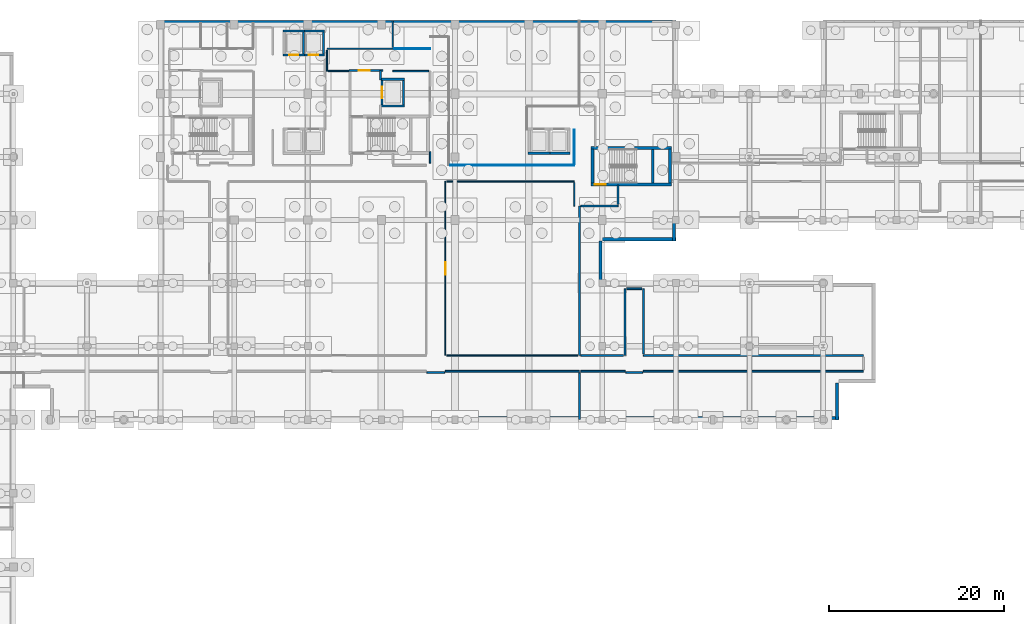
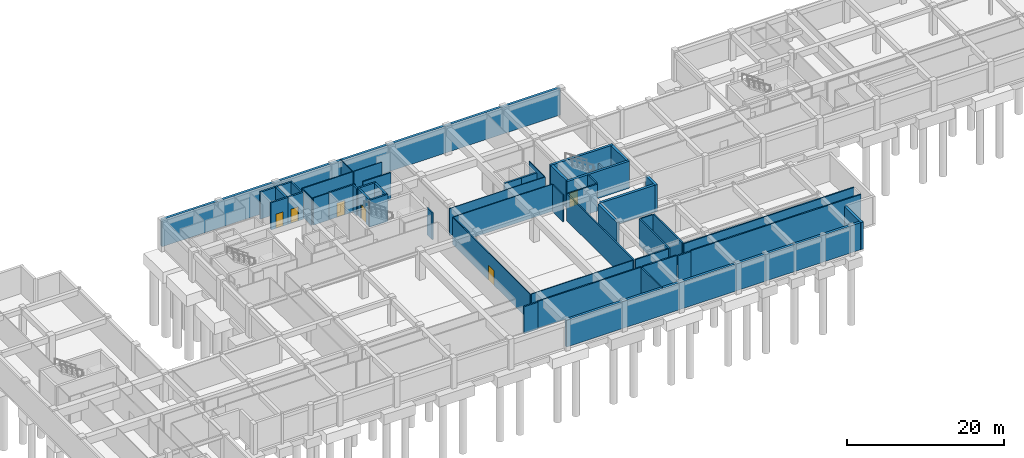
# One storey, part 31 of 42: 52 walls, 6 doors, 6 openings.
"""IFC4 building model written with IfcOpenShell, lengths in metres."""

from ifc_helpers import new_model, si_unit, direction, frame, frame_2d, origin, place, context, subcontext, project, spatial, rectangle, extrude, material, layer, layer_set, type_object, element, fill, save


model = new_model("IFC4")

# Units and contexts
model_context = context("Model", 3, precision=1e-05, world=origin(), true_north=direction((0.0, 1.0)))
body_context = subcontext(model_context, "Body", "Model", "MODEL_VIEW")
ifc_project = project(units=[si_unit("LENGTHUNIT", "METRE"), si_unit("AREAUNIT", "SQUARE_METRE"), si_unit("VOLUMEUNIT", "CUBIC_METRE"), si_unit("PLANEANGLEUNIT", "RADIAN"), si_unit("MASSUNIT", "GRAM", prefix="KILO")], contexts=[model_context])

# Site, building, storey
site_placement = place(None, origin())
site = spatial("IfcSite", under=ifc_project, at=site_placement, CompositionType="ELEMENT")
building_placement = place(site_placement, origin())
building = spatial("IfcBuilding", under=site, at=building_placement, Name="Quendrovan Civic Courthouse", CompositionType="ELEMENT")
storey_placement = place(building_placement, frame((0.0, 0.0, -4.5)))
storey = spatial("IfcBuildingStorey", under=building, at=storey_placement, Name="B1", CompositionType="ELEMENT", Elevation=-4.5)

# Walls
ifc_material_1 = material(Name="Concrete C35/45", Category="concrete")
ifc_layer_1 = layer(ifc_material_1, 0.3798828125, Name="Concrete C35/45")
ifc_layer_set_1 = layer_set([ifc_layer_1], Name="Concrete C35/45")
wall_type_1 = type_object("IfcWallType", Name="WL-BSM-RET380", PredefinedType="SOLIDWALL", material=ifc_layer_set_1)
wall_1_placement = place(storey_placement, frame((33.60009765625, 110.18994140625, 0.0), z_axis=(0.0, 0.0, 1.0), x_axis=(1.0, 0.0, 0.0)))
element("IfcWall", 1, at=wall_1_placement, inside=storey, type_object=wall_type_1, Name="B1 Perimeter Retaining Wall 008", PredefinedType="SOLIDWALL", context=body_context, shape_type="SweptSolid", body=[
    extrude(rectangle(XDim=58.7998046875, YDim=0.3798828125, at=frame_2d((29.39990234375, 0.0))), origin(), (0.0, 0.0, 1.0), 4.219970703125),
])
wall_2_placement = place(storey_placement, frame((92.18994140625, 87.60009765625, 0.0), z_axis=(0.0, 0.0, 1.0), x_axis=(0.0, -1.0, 0.0)))
element("IfcWall", 2, at=wall_2_placement, inside=storey, type_object=wall_type_1, Name="B1 Perimeter Retaining Wall 015", PredefinedType="SOLIDWALL", context=body_context, shape_type="SweptSolid", body=[
    extrude(rectangle(XDim=2.400146484375, YDim=0.3798828125, at=frame_2d((1.2001953125, 0.0))), origin(), (0.0, 0.0, 1.0), 4.219970703125),
])
wall_3_placement = place(storey_placement, frame((92.39990234375, 85.409912109375, 0.0), z_axis=(0.0, 0.0, 1.0), x_axis=(-1.0, 0.0, 0.0)))
element("IfcWall", 3, at=wall_3_placement, inside=storey, type_object=wall_type_1, Name="B1 Perimeter Retaining Wall 016", PredefinedType="SOLIDWALL", context=body_context, shape_type="SweptSolid", body=[
    extrude(rectangle(XDim=8.39990234375, YDim=0.3798828125, at=frame_2d((4.199951171875, 0.0))), origin(), (0.0, 0.0, 1.0), 4.219970703125),
])
wall_4_placement = place(storey_placement, frame((83.7900390625, 85.199951171875, 0.0), z_axis=(0.0, 0.0, 1.0), x_axis=(0.0, -1.0, 0.0)))
element("IfcWall", 4, at=wall_4_placement, inside=storey, type_object=wall_type_1, Name="B1 Perimeter Retaining Wall 017", PredefinedType="SOLIDWALL", context=body_context, shape_type="SweptSolid", body=[
    extrude(rectangle(XDim=4.800048828125, YDim=0.3798828125, at=frame_2d((2.39990234375, 0.0))), origin(), (0.0, 0.0, 1.0), 4.219970703125),
])
wall_5_placement = place(storey_placement, frame((110.7900390625, 69.0, 0.0), z_axis=(0.0, 0.0, 1.0), x_axis=(0.0, -1.0, 0.0)))
element("IfcWall", 5, at=wall_5_placement, inside=storey, type_object=wall_type_1, Name="B1 Perimeter Retaining Wall 021", PredefinedType="SOLIDWALL", context=body_context, shape_type="SweptSolid", body=[
    extrude(rectangle(XDim=4.199951171875, YDim=0.3798828125, at=frame_2d((2.10009765625, 0.0))), origin(), (0.0, 0.0, 1.0), 4.219970703125),
])
wall_6_placement = place(storey_placement, frame((111.0, 65.010009765625, 0.0), z_axis=(0.0, 0.0, 1.0), x_axis=(-1.0, 0.0, 0.0)))
element("IfcWall", 6, at=wall_6_placement, inside=storey, type_object=wall_type_1, Name="B1 Perimeter Retaining Wall 022", PredefinedType="SOLIDWALL", context=body_context, shape_type="SweptSolid", body=[
    extrude(rectangle(XDim=43.800048828125, YDim=0.3798828125, at=frame_2d((21.89990234375, 0.0))), origin(), (0.0, 0.0, 1.0), 4.219970703125),
])

# Wall, opening, door
ifc_material_2 = material(Name="Concrete C45/55", Category="concrete")
ifc_layer_2 = layer(ifc_material_2, 0.35009765625, Name="Concrete C45/55")
ifc_layer_set_2 = layer_set([ifc_layer_2], Name="Concrete C45/55")
wall_type_2 = type_object("IfcWallType", Name="WL-CORE-350", PredefinedType="SHEAR", material=ifc_layer_set_2)
wall_7_placement = place(storey_placement, frame((82.68994140625, 91.6650390625, 0.0), z_axis=(0.0, 0.0, 1.0), x_axis=(1.0, 0.0, 0.0)))
wall_7 = element("IfcWall", 7, at=wall_7_placement, inside=storey, type_object=wall_type_2, Name="B1 Core Shear Wall ST3-S", PredefinedType="SHEAR", context=body_context, shape_type="SweptSolid", body=[
    extrude(rectangle(XDim=9.219970703125, YDim=0.35009765625, at=frame_2d((4.60986328125, 0.0))), origin(), (0.0, 0.0, 1.0), 4.219970703125),
])
opening_1_placement = place(wall_7_placement, frame((0.449951171875, 0.0, 0.0)))
opening_1 = element("IfcOpeningElement", 8, at=opening_1_placement, cuts=wall_7, Name="Opening DS-ST3-B1", PredefinedType="OPENING", context=body_context, shape_type="SweptSolid", body=[
    extrude(rectangle(XDim=1.25, YDim=2.199951171875, at=frame_2d((0.625, 1.10009765625))), frame((0.0, 0.18505859375, 0.0), z_axis=(0.0, -1.0, 0.0), x_axis=(1.0, 0.0, 0.0)), (0.0, 0.0, 1.0), 0.3701171875),
])
ifc_material_3 = material(Name="Painted galvanized hollow-metal steel", Category="steel")
door_type_1 = type_object("IfcDoorType", Name="DR-STAIR-1250", OperationType="NOTDEFINED", PredefinedType="DOOR", material=ifc_material_3)
door_1_placement = place(opening_1_placement, origin())
door_1 = element("IfcDoor", 9, at=door_1_placement, inside=storey, type_object=door_type_1, Name="B1 Exit Stair ST3 Fire Door", OperationType="SINGLE_SWING_RIGHT", OverallHeight=2.199951171875, OverallWidth=1.25, PredefinedType="DOOR", context=body_context, shape_type="SweptSolid", body=[
    extrude(rectangle(XDim=1.25, YDim=2.199951171875, at=frame_2d((0.625, 1.10009765625))), frame((0.0, 0.02490234375, 0.0), z_axis=(0.0, -1.0, 0.0), x_axis=(1.0, 0.0, 0.0)), (0.0, 0.0, 1.0), 0.050048828125),
])
fill(opening_1, door_1)

# Walls
wall_8_placement = place(storey_placement, frame((91.909912109375, 95.8349609375, 0.0), z_axis=(0.0, 0.0, 1.0), x_axis=(-1.0, 0.0, 0.0)))
element("IfcWall", 10, at=wall_8_placement, inside=storey, type_object=wall_type_2, Name="B1 Core Shear Wall ST3-N", PredefinedType="SHEAR", context=body_context, shape_type="SweptSolid", body=[
    extrude(rectangle(XDim=9.219970703125, YDim=0.35009765625, at=frame_2d((4.60986328125, 0.0))), origin(), (0.0, 0.0, 1.0), 4.219970703125),
])
for number, where, z_axis, x_axis, name in (
    (11, (82.864990234375, 91.800048828125, 0.0), (0.0, 0.0, 1.0), (0.0, 1.0, 0.0), "B1 Core Shear Wall ST3-W"),
    (12, (91.735107421875, 95.699951171875, 0.0), (0.0, 0.0, 1.0), (0.0, -1.0, 0.0), "B1 Core Shear Wall ST3-E"),
):
    element("IfcWall", number, at=place(storey_placement, frame(where, z_axis=z_axis, x_axis=x_axis)), inside=storey, type_object=wall_type_2, Name=name, PredefinedType="SHEAR", context=body_context, shape_type="SweptSolid", body=[
        extrude(rectangle(XDim=3.89990234375, YDim=0.35009765625, at=frame_2d((1.949951171875, 0.0))), origin(), (0.0, 0.0, 1.0), 4.219970703125),
    ])
ifc_material_4 = material(Name="Acoustic gypsum and mineral wool partition")
ifc_layer_3 = layer(ifc_material_4, 0.179931640625, Name="Acoustic gypsum and mineral wool partition")
ifc_layer_set_3 = layer_set([ifc_layer_3], Name="Acoustic gypsum and mineral wool partition")
wall_type_3 = type_object("IfcWallType", Name="WL-CRT-AC180", PredefinedType="PARTITIONING", material=ifc_layer_set_3)
wall_9_placement = place(storey_placement, frame((64.35009765625, 95.39990234375, 0.0), z_axis=(0.0, 0.0, 1.0), x_axis=(0.0, -1.0, 0.0)))
element("IfcWall", 13, at=wall_9_placement, inside=storey, type_object=wall_type_3, Name="B1 Electrical Substation and Standby Power Room Partition 0040", PredefinedType="PARTITIONING", context=body_context, shape_type="SweptSolid", body=[
    extrude(rectangle(XDim=1.2998046875, YDim=0.179931640625, at=frame_2d((0.64990234375, 0.0))), origin(), (0.0, 0.0, 1.0), 4.219970703125),
])
wall_10_placement = place(storey_placement, frame((60.10009765625, 104.60009765625, 0.0), z_axis=(0.0, 0.0, 1.0), x_axis=(1.0, 0.0, 0.0)))
element("IfcWall", 14, at=wall_10_placement, inside=storey, type_object=wall_type_3, Name="B1 Electrical Substation and Standby Power Room Partition 0084", PredefinedType="PARTITIONING", context=body_context, shape_type="SweptSolid", body=[
    extrude(rectangle(XDim=4.079833984375, YDim=0.179931640625, at=frame_2d((2.0400390625, 0.0))), origin(), (0.0, 0.0, 1.0), 4.219970703125),
])
ifc_material_5 = material(Name="Concrete C40/50", Category="concrete")
ifc_layer_4 = layer(ifc_material_5, 0.199951171875, Name="Concrete C40/50")
ifc_layer_set_4 = layer_set([ifc_layer_4], Name="Concrete C40/50")
wall_type_4 = type_object("IfcWallType", Name="WL-CUST-200", PredefinedType="PARTITIONING", material=ifc_layer_set_4)
for number, where, z_axis, x_axis, name in (
    (15, (88.699951171875, 70.35009765625, 0.0), (0.0, 0.0, 1.0), (1.0, 0.0, 0.0), "B1 Judicial Case Docket and Court Record Vault 2 Partition 0009"),
    (16, (113.800048828125, 72.14990234375, 0.0), (0.0, 0.0, 1.0), (-1.0, 0.0, 0.0), "B1 Judicial Case Docket and Court Record Vault 2 Partition 0010"),
):
    element("IfcWall", number, at=place(storey_placement, frame(where, z_axis=z_axis, x_axis=x_axis)), inside=storey, type_object=wall_type_4, Name=name, PredefinedType="PARTITIONING", context=body_context, shape_type="SweptSolid", body=[
        extrude(rectangle(XDim=25.10009765625, YDim=0.199951171875, at=frame_2d((12.550048828125, 0.0))), origin(), (0.0, 0.0, 1.0), 4.219970703125),
    ])
wall_11_placement = place(storey_placement, frame((81.389892578125, 72.14990234375, 0.0), z_axis=(0.0, 0.0, 1.0), x_axis=(0.0, 1.0, 0.0)))
element("IfcWall", 17, at=wall_11_placement, inside=storey, type_object=wall_type_4, Name="B1 Judicial Case Docket and Court Record Vault 2 Partition 0023", PredefinedType="PARTITIONING", context=body_context, shape_type="SweptSolid", body=[
    extrude(rectangle(XDim=17.050048828125, YDim=0.199951171875, at=frame_2d((8.52490234375, 0.0))), origin(), (0.0, 0.0, 1.0), 4.219970703125),
])
wall_12_placement = place(storey_placement, frame((66.10009765625, 70.35009765625, 0.0), z_axis=(0.0, 0.0, 1.0), x_axis=(1.0, 0.0, 0.0)))
element("IfcWall", 18, at=wall_12_placement, inside=storey, type_object=wall_type_4, Name="B1 Judicial Case Docket and Court Record Vault 1 Partition 0029", PredefinedType="PARTITIONING", context=body_context, shape_type="SweptSolid", body=[
    extrude(rectangle(XDim=15.289794921875, YDim=0.199951171875, at=frame_2d((7.64501953125, 0.0))), origin(), (0.0, 0.0, 1.0), 4.219970703125),
])
wall_13_placement = place(storey_placement, frame((88.699951171875, 72.330078125, 0.0), z_axis=(0.0, 0.0, 1.0), x_axis=(0.0, 1.0, 0.0)))
element("IfcWall", 19, at=wall_13_placement, inside=storey, type_object=wall_type_4, Name="B1 Judicial Case Docket and Court Record Vault 2 Partition 0053", PredefinedType="PARTITIONING", context=body_context, shape_type="SweptSolid", body=[
    extrude(rectangle(XDim=7.419921875, YDim=0.199951171875, at=frame_2d((3.7099609375, 0.0))), origin(), (0.0, 0.0, 1.0), 4.219970703125),
])
wall_14_placement = place(storey_placement, frame((86.60009765625, 79.75, 0.0), z_axis=(0.0, 0.0, 1.0), x_axis=(0.0, -1.0, 0.0)))
element("IfcWall", 20, at=wall_14_placement, inside=storey, type_object=wall_type_4, Name="B1 Judicial Case Docket and Court Record Vault 2 Partition 0054", PredefinedType="PARTITIONING", context=body_context, shape_type="SweptSolid", body=[
    extrude(rectangle(XDim=7.60009765625, YDim=0.199951171875, at=frame_2d((3.800048828125, 0.0))), origin(), (0.0, 0.0, 1.0), 4.219970703125),
])
wall_15_placement = place(storey_placement, frame((81.389892578125, 70.169921875, 0.0), z_axis=(0.0, 0.0, 1.0), x_axis=(0.0, -1.0, 0.0)))
element("IfcWall", 21, at=wall_15_placement, inside=storey, type_object=wall_type_4, Name="B1 Judicial Case Docket and Court Record Vault 1 Partition 0065", PredefinedType="PARTITIONING", context=body_context, shape_type="SweptSolid", body=[
    extrude(rectangle(XDim=5.309814453125, YDim=0.199951171875, at=frame_2d((2.65478515625, 0.0))), origin(), (0.0, 0.0, 1.0), 4.219970703125),
])
wall_16_placement = place(storey_placement, frame((81.570068359375, 70.35009765625, 0.0), z_axis=(0.0, 0.0, 1.0), x_axis=(1.0, 0.0, 0.0)))
element("IfcWall", 22, at=wall_16_placement, inside=storey, type_object=wall_type_4, Name="B1 Judicial Case Docket and Court Record Vault 2 Partition 0068", PredefinedType="PARTITIONING", context=body_context, shape_type="SweptSolid", body=[
    extrude(rectangle(XDim=5.030029296875, YDim=0.199951171875, at=frame_2d((2.51513671875, 0.0))), origin(), (0.0, 0.0, 1.0), 4.219970703125),
])
wall_17_placement = place(storey_placement, frame((86.419921875, 72.14990234375, 0.0), z_axis=(0.0, 0.0, 1.0), x_axis=(-1.0, 0.0, 0.0)))
element("IfcWall", 23, at=wall_17_placement, inside=storey, type_object=wall_type_4, Name="B1 Judicial Case Docket and Court Record Vault 2 Partition 0069", PredefinedType="PARTITIONING", context=body_context, shape_type="SweptSolid", body=[
    extrude(rectangle(XDim=4.849853515625, YDim=0.199951171875, at=frame_2d((2.4248046875, 0.0))), origin(), (0.0, 0.0, 1.0), 4.219970703125),
])
wall_18_placement = place(storey_placement, frame((81.570068359375, 89.199951171875, 0.0), z_axis=(0.0, 0.0, 1.0), x_axis=(1.0, 0.0, 0.0)))
element("IfcWall", 24, at=wall_18_placement, inside=storey, type_object=wall_type_4, Name="B1 Judicial Case Docket and Court Record Vault 2 Partition 0081", PredefinedType="PARTITIONING", context=body_context, shape_type="SweptSolid", body=[
    extrude(rectangle(XDim=4.22998046875, YDim=0.199951171875, at=frame_2d((2.114990234375, 0.0))), origin(), (0.0, 0.0, 1.0), 4.219970703125),
])
wall_19_placement = place(storey_placement, frame((85.800048828125, 89.3798828125, 0.0), z_axis=(0.0, 0.0, 1.0), x_axis=(0.0, 1.0, 0.0)))
element("IfcWall", 25, at=wall_19_placement, inside=storey, type_object=wall_type_4, Name="B1 Judicial Case Docket and Court Record Vault 2 Partition 0121", PredefinedType="PARTITIONING", context=body_context, shape_type="SweptSolid", body=[
    extrude(rectangle(XDim=2.2001953125, YDim=0.199951171875, at=frame_2d((1.10009765625, 0.0))), origin(), (0.0, 0.0, 1.0), 4.219970703125),
])
wall_20_placement = place(storey_placement, frame((63.99951171875, 70.199951171875, 0.0), z_axis=(0.0, 0.0, 1.0), x_axis=(1.0, 0.0, 0.0)))
element("IfcWall", 26, at=wall_20_placement, inside=storey, type_object=wall_type_4, Name="B1 Judicial Case Docket and Court Record Vault 1 Partition 0126", PredefinedType="PARTITIONING", context=body_context, shape_type="SweptSolid", body=[
    extrude(rectangle(XDim=2.0009765625, YDim=0.199951171875, at=frame_2d((1.00048828125, 0.0))), origin(), (0.0, 0.0, 1.0), 4.219970703125),
])
wall_21_placement = place(storey_placement, frame((86.699462890625, 70.199951171875, 0.0), z_axis=(0.0, 0.0, 1.0), x_axis=(1.0, 0.0, 0.0)))
element("IfcWall", 27, at=wall_21_placement, inside=storey, type_object=wall_type_4, Name="B1 Judicial Case Docket and Court Record Vault 2 Partition 0129", PredefinedType="PARTITIONING", context=body_context, shape_type="SweptSolid", body=[
    extrude(rectangle(XDim=1.901123046875, YDim=0.199951171875, at=frame_2d((0.95068359375, 0.0))), origin(), (0.0, 0.0, 1.0), 4.219970703125),
])
wall_22_placement = place(storey_placement, frame((88.52001953125, 79.75, 0.0), z_axis=(0.0, 0.0, 1.0), x_axis=(-1.0, 0.0, 0.0)))
element("IfcWall", 28, at=wall_22_placement, inside=storey, type_object=wall_type_4, Name="B1 Judicial Case Docket and Court Record Vault 2 Partition 0130", PredefinedType="PARTITIONING", context=body_context, shape_type="SweptSolid", body=[
    extrude(rectangle(XDim=1.739990234375, YDim=0.199951171875, at=frame_2d((0.8701171875, 0.0))), origin(), (0.0, 0.0, 1.0), 4.219970703125),
])

# Wall, opening, door
ifc_layer_5 = layer(ifc_material_5, 0.22998046875, Name="Concrete C40/50")
ifc_layer_set_5 = layer_set([ifc_layer_5], Name="Concrete C40/50")
wall_type_5 = type_object("IfcWallType", Name="WL-FFLOB-230", PredefinedType="PARTITIONING", material=ifc_layer_set_5)
wall_23_placement = place(storey_placement, frame((55.090087890625, 104.64990234375, 0.0), z_axis=(0.0, 0.0, 1.0), x_axis=(1.0, 0.0, 0.0)))
wall_23 = element("IfcWall", 29, at=wall_23_placement, inside=storey, type_object=wall_type_5, Name="B1 Firefighting Lift Lobby FL2 Wall N", PredefinedType="PARTITIONING", context=body_context, shape_type="SweptSolid", body=[
    extrude(rectangle(XDim=3.889892578125, YDim=0.22998046875, at=frame_2d((1.94482421875, 0.0))), origin(), (0.0, 0.0, 1.0), 4.219970703125),
])
opening_2_placement = place(wall_23_placement, frame((1.14990234375, 0.0, 0.0)))
opening_2 = element("IfcOpeningElement", 30, at=opening_2_placement, cuts=wall_23, Name="Opening DF-FL2-B1N", PredefinedType="OPENING", context=body_context, shape_type="SweptSolid", body=[
    extrude(rectangle(XDim=1.199951171875, YDim=2.199951171875, at=frame_2d((0.60009765625, 1.10009765625))), frame((0.0, 0.125, 0.0), z_axis=(0.0, -1.0, 0.0), x_axis=(1.0, 0.0, 0.0)), (0.0, 0.0, 1.0), 0.25),
])
door_type_2 = type_object("IfcDoorType", Name="DR-FFLOB-1200", OperationType="NOTDEFINED", PredefinedType="DOOR", material=ifc_material_3)
door_2_placement = place(opening_2_placement, origin())
door_2 = element("IfcDoor", 31, at=door_2_placement, inside=storey, type_object=door_type_2, Name="B1 Firefighting Lobby FL2 Fire Door N", OperationType="SINGLE_SWING_LEFT", OverallHeight=2.199951171875, OverallWidth=1.199951171875, PredefinedType="DOOR", context=body_context, shape_type="SweptSolid", body=[
    extrude(rectangle(XDim=1.199951171875, YDim=2.199951171875, at=frame_2d((0.60009765625, 1.10009765625))), frame((0.0, 0.02490234375, 0.0), z_axis=(0.0, -1.0, 0.0), x_axis=(1.0, 0.0, 0.0)), (0.0, 0.0, 1.0), 0.050048828125),
])
fill(opening_2, door_2)

# Walls
wall_24_placement = place(storey_placement, frame((58.699951171875, 104.64990234375, 0.0), z_axis=(0.0, 0.0, 1.0), x_axis=(0.0, -1.0, 0.0)))
element("IfcWall", 32, at=wall_24_placement, inside=storey, type_object=wall_type_5, Name="B1 Firefighting Lift Lobby FL2 Wall EN", PredefinedType="PARTITIONING", context=body_context, shape_type="SweptSolid", body=[
    extrude(rectangle(XDim=1.099853515625, YDim=0.22998046875, at=frame_2d((0.5498046875, 0.0))), origin(), (0.0, 0.0, 1.0), 4.219970703125),
])
ifc_material_6 = material(Name="Lightweight gypsum partition")
ifc_layer_6 = layer(ifc_material_6, 0.10009765625, Name="Lightweight gypsum partition")
ifc_layer_set_6 = layer_set([ifc_layer_6], Name="Lightweight gypsum partition")
wall_type_6 = type_object("IfcWallType", Name="WL-INT-100", PredefinedType="PARTITIONING", material=ifc_layer_set_6)
wall_25_placement = place(storey_placement, frame((80.800048828125, 93.85009765625, 0.0), z_axis=(0.0, 0.0, 1.0), x_axis=(-1.0, 0.0, 0.0)))
element("IfcWall", 33, at=wall_25_placement, inside=storey, type_object=wall_type_6, Name="B1 Chiller and Cooling Plant Room Partition 0033", PredefinedType="PARTITIONING", context=body_context, shape_type="SweptSolid", body=[
    extrude(rectangle(XDim=14.170166015625, YDim=0.10009765625, at=frame_2d((7.0849609375, 0.0))), origin(), (0.0, 0.0, 1.0), 4.219970703125),
])
wall_26_placement = place(storey_placement, frame((64.35009765625, 107.14990234375, 0.0), z_axis=(0.0, 0.0, 1.0), x_axis=(-1.0, 0.0, 0.0)))
element("IfcWall", 34, at=wall_26_placement, inside=storey, type_object=wall_type_6, Name="B1 Chiller and Cooling Plant Room Partition 0083", PredefinedType="PARTITIONING", context=body_context, shape_type="SweptSolid", body=[
    extrude(rectangle(XDim=4.09521484375, YDim=0.10009765625, at=frame_2d((2.047607421875, 0.0))), origin(), (0.0, 0.0, 1.0), 4.219970703125),
])
wall_27_placement = place(storey_placement, frame((80.800048828125, 97.89990234375, 0.0), z_axis=(0.0, 0.0, 1.0), x_axis=(0.0, -1.0, 0.0)))
element("IfcWall", 35, at=wall_27_placement, inside=storey, type_object=wall_type_6, Name="B1 Chiller and Cooling Plant Room Partition 0086", PredefinedType="PARTITIONING", context=body_context, shape_type="SweptSolid", body=[
    extrude(rectangle(XDim=3.919921875, YDim=0.10009765625, at=frame_2d((1.9599609375, 0.0))), origin(), (0.0, 0.0, 1.0), 4.219970703125),
])
ifc_material_7 = material(Name="Acoustic gypsum stud partition")
ifc_layer_7 = layer(ifc_material_7, 0.14990234375, Name="Acoustic gypsum stud partition")
ifc_layer_set_7 = layer_set([ifc_layer_7], Name="Acoustic gypsum stud partition")
wall_type_7 = type_object("IfcWallType", Name="WL-JURY-150", PredefinedType="PARTITIONING", material=ifc_layer_set_7)
wall_28_placement = place(storey_placement, frame((60.10009765625, 107.14990234375, 0.0), z_axis=(0.0, 0.0, 1.0), x_axis=(-1.0, 0.0, 0.0)))
element("IfcWall", 36, at=wall_28_placement, inside=storey, type_object=wall_type_7, Name="B1 Courthouse Facilities and Maintenance Store Partition 0055", PredefinedType="PARTITIONING", context=body_context, shape_type="SweptSolid", body=[
    extrude(rectangle(XDim=7.5, YDim=0.14990234375, at=frame_2d((3.75, 0.0))), origin(), (0.0, 0.0, 1.0), 4.219970703125),
])
wall_29_placement = place(storey_placement, frame((60.10009765625, 110.340087890625, 0.0), z_axis=(0.0, 0.0, 1.0), x_axis=(0.0, -1.0, 0.0)))
element("IfcWall", 37, at=wall_29_placement, inside=storey, type_object=wall_type_7, Name="B1 Courthouse Facilities and Maintenance Store Partition 0094", PredefinedType="PARTITIONING", context=body_context, shape_type="SweptSolid", body=[
    extrude(rectangle(XDim=3.03515625, YDim=0.14990234375, at=frame_2d((1.517578125, 0.0))), origin(), (0.0, 0.0, 1.0), 4.219970703125),
])
wall_30_placement = place(storey_placement, frame((52.60009765625, 106.9951171875, 0.0), z_axis=(0.0, 0.0, 1.0), x_axis=(0.0, -1.0, 0.0)))
element("IfcWall", 38, at=wall_30_placement, inside=storey, type_object=wall_type_7, Name="B1 Courthouse Facilities and Maintenance Store Partition 0116", PredefinedType="PARTITIONING", context=body_context, shape_type="SweptSolid", body=[
    extrude(rectangle(XDim=2.39501953125, YDim=0.14990234375, at=frame_2d((1.197509765625, 0.0))), origin(), (0.0, 0.0, 1.0), 4.219970703125),
])
wall_31_placement = place(storey_placement, frame((52.7548828125, 104.60009765625, 0.0), z_axis=(0.0, 0.0, 1.0), x_axis=(1.0, 0.0, 0.0)))
element("IfcWall", 39, at=wall_31_placement, inside=storey, type_object=wall_type_7, Name="B1 Courthouse Facilities and Maintenance Store Partition 0117", PredefinedType="PARTITIONING", context=body_context, shape_type="SweptSolid", body=[
    extrude(rectangle(XDim=2.3251953125, YDim=0.14990234375, at=frame_2d((1.16259765625, 0.0))), origin(), (0.0, 0.0, 1.0), 4.219970703125),
])

# Wall, opening, door
ifc_material_8 = material(Name="Gypsum stud partition")
ifc_layer_8 = layer(ifc_material_8, 0.1298828125, Name="Gypsum stud partition")
ifc_layer_set_8 = layer_set([ifc_layer_8], Name="Gypsum stud partition")
wall_type_8 = type_object("IfcWallType", Name="WL-REG-130", PredefinedType="PARTITIONING", material=ifc_layer_set_8)
wall_32_placement = place(storey_placement, frame((66.10009765625, 72.14990234375, 0.0), z_axis=(0.0, 0.0, 1.0), x_axis=(0.0, 1.0, 0.0)))
wall_32 = element("IfcWall", 40, at=wall_32_placement, inside=storey, type_object=wall_type_8, Name="B1 Fire Pump and Reserve Tank Room 2 Partition 0018", PredefinedType="PARTITIONING", context=body_context, shape_type="SweptSolid", body=[
    extrude(rectangle(XDim=19.85009765625, YDim=0.1298828125, at=frame_2d((9.925048828125, 0.0))), origin(), (0.0, 0.0, 1.0), 4.219970703125),
])
opening_3_placement = place(wall_32_placement, frame((9.205078125, 0.0, 0.0)))
opening_3 = element("IfcOpeningElement", 41, at=opening_3_placement, cuts=wall_32, Name="Opening D-B1-021", PredefinedType="OPENING", context=body_context, shape_type="SweptSolid", body=[
    extrude(rectangle(XDim=1.43994140625, YDim=2.340087890625, at=frame_2d((0.719970703125, 1.169921875))), frame((0.0, 0.074951171875, 0.0), z_axis=(0.0, -1.0, 0.0), x_axis=(1.0, 0.0, 0.0)), (0.0, 0.0, 1.0), 0.14990234375),
])
ifc_material_9 = material(Name="Louvred fire-rated steel plant door", Category="steel")
door_type_3 = type_object("IfcDoorType", Name="DR-PLT-1440", OperationType="NOTDEFINED", PredefinedType="DOOR", material=ifc_material_9)
door_3_placement = place(opening_3_placement, origin())
door_3 = element("IfcDoor", 42, at=door_3_placement, inside=storey, type_object=door_type_3, Name="B1 Fire Pump and Reserve Tank Room 2 Door D-B1-021", OperationType="SINGLE_SWING_RIGHT", OverallHeight=2.340087890625, OverallWidth=1.43994140625, PredefinedType="DOOR", context=body_context, shape_type="SweptSolid", body=[
    extrude(rectangle(XDim=1.43994140625, YDim=2.340087890625, at=frame_2d((0.719970703125, 1.169921875))), frame((0.0, 0.02490234375, 0.0), z_axis=(0.0, -1.0, 0.0), x_axis=(1.0, 0.0, 0.0)), (0.0, 0.0, 1.0), 0.050048828125),
])
fill(opening_3, door_3)

# Walls
wall_33_placement = place(storey_placement, frame((81.2099609375, 72.14990234375, 0.0), z_axis=(0.0, 0.0, 1.0), x_axis=(-1.0, 0.0, 0.0)))
element("IfcWall", 43, at=wall_33_placement, inside=storey, type_object=wall_type_8, Name="B1 Fire Pump and Reserve Tank Room 2 Partition 0030", PredefinedType="PARTITIONING", context=body_context, shape_type="SweptSolid", body=[
    extrude(rectangle(XDim=14.96484375, YDim=0.1298828125, at=frame_2d((7.482421875, 0.0))), origin(), (0.0, 0.0, 1.0), 4.219970703125),
])
wall_34_placement = place(storey_placement, frame((66.2451171875, 92.0, 0.0), z_axis=(0.0, 0.0, 1.0), x_axis=(1.0, 0.0, 0.0)))
element("IfcWall", 44, at=wall_34_placement, inside=storey, type_object=wall_type_8, Name="B1 Fire Pump and Reserve Tank Room 2 Partition 0031", PredefinedType="PARTITIONING", context=body_context, shape_type="SweptSolid", body=[
    extrude(rectangle(XDim=14.554931640625, YDim=0.1298828125, at=frame_2d((7.27734375, 0.0))), origin(), (0.0, 0.0, 1.0), 4.219970703125),
])
wall_35_placement = place(storey_placement, frame((80.800048828125, 91.85498046875, 0.0), z_axis=(0.0, 0.0, 1.0), x_axis=(0.0, -1.0, 0.0)))
element("IfcWall", 45, at=wall_35_placement, inside=storey, type_object=wall_type_8, Name="B1 Fire Pump and Reserve Tank Room 2 Partition 0111", PredefinedType="PARTITIONING", context=body_context, shape_type="SweptSolid", body=[
    extrude(rectangle(XDim=2.655029296875, YDim=0.1298828125, at=frame_2d((1.32763671875, 0.0))), origin(), (0.0, 0.0, 1.0), 4.219970703125),
])
ifc_layer_9 = layer(ifc_material_2, 0.25, Name="Concrete C45/55")
ifc_layer_set_9 = layer_set([ifc_layer_9], Name="Concrete C45/55")
wall_type_9 = type_object("IfcWallType", Name="WL-SHAFT-250", PredefinedType="SHEAR", material=ifc_layer_set_9)
wall_36_placement = place(storey_placement, frame((89.75, 91.85009765625, 0.0), z_axis=(0.0, 0.0, 1.0), x_axis=(0.0, 1.0, 0.0)))
element("IfcWall", 46, at=wall_36_placement, inside=storey, type_object=wall_type_9, Name="B1 Stair ST3 Mid-Landing Bearing Wall", PredefinedType="SHEAR", context=body_context, shape_type="SweptSolid", body=[
    extrude(rectangle(XDim=3.7998046875, YDim=0.25, at=frame_2d((1.89990234375, 0.0))), origin(), (0.0, 0.0, 1.0), 2.070068359375),
])
for number, where, z_axis, x_axis, name in (
    (47, (75.550048828125, 95.22509765625, 0.0), (0.0, 0.0, 1.0), (1.0, 0.0, 0.0), "B1 Lift Hoistway Wall PL1 -Y"),
    (48, (77.800048828125, 95.22509765625, 0.0), (0.0, 0.0, 1.0), (1.0, 0.0, 0.0), "B1 Lift Hoistway Wall PL2 -Y"),
):
    element("IfcWall", number, at=place(storey_placement, frame(where, z_axis=z_axis, x_axis=x_axis)), inside=storey, type_object=wall_type_9, Name=name, PredefinedType="SHEAR", context=body_context, shape_type="SweptSolid", body=[
        extrude(rectangle(XDim=2.5, YDim=0.25, at=frame_2d((1.25, 0.0))), origin(), (0.0, 0.0, 1.0), 4.219970703125),
    ])

# Wall, opening, door
wall_37_placement = place(storey_placement, frame((47.550048828125, 106.425048828125, 0.0), z_axis=(0.0, 0.0, 1.0), x_axis=(1.0, 0.0, 0.0)))
wall_37 = element("IfcWall", 49, at=wall_37_placement, inside=storey, type_object=wall_type_9, Name="B1 Lift Hoistway Wall JL1 -Y", PredefinedType="SHEAR", context=body_context, shape_type="SweptSolid", body=[
    extrude(rectangle(XDim=2.5, YDim=0.25, at=frame_2d((1.25, 0.0))), origin(), (0.0, 0.0, 1.0), 4.219970703125),
])
opening_4_placement = place(wall_37_placement, frame((0.719970703125, 0.0, 0.0)))
opening_4 = element("IfcOpeningElement", 50, at=opening_4_placement, cuts=wall_37, Name="Opening LD-JL1-B1", PredefinedType="OPENING", context=body_context, shape_type="SweptSolid", body=[
    extrude(rectangle(XDim=1.06005859375, YDim=2.199951171875, at=frame_2d((0.530029296875, 1.10009765625))), frame((0.0, 0.135009765625, 0.0), z_axis=(0.0, -1.0, 0.0), x_axis=(1.0, 0.0, 0.0)), (0.0, 0.0, 1.0), 0.27001953125),
])
ifc_material_10 = material(Name="Brushed bronze-anodised stainless steel", Category="steel")
door_type_4 = type_object("IfcDoorType", Name="DR-LIFT-LD-JL", OperationType="NOTDEFINED", PredefinedType="DOOR", material=ifc_material_10)
door_4_placement = place(opening_4_placement, origin())
door_4 = element("IfcDoor", 51, at=door_4_placement, inside=storey, type_object=door_type_4, Name="B1 Lift JL1 Sliding Landing Door", OperationType="SLIDING_TO_LEFT", OverallHeight=2.199951171875, OverallWidth=1.06005859375, PredefinedType="DOOR", context=body_context, shape_type="SweptSolid", body=[
    extrude(rectangle(XDim=1.06005859375, YDim=2.199951171875, at=frame_2d((0.530029296875, 1.10009765625))), frame((0.0, 0.02490234375, 0.0), z_axis=(0.0, -1.0, 0.0), x_axis=(1.0, 0.0, 0.0)), (0.0, 0.0, 1.0), 0.050048828125),
])
fill(opening_4, door_4)

# Walls
for number, where, z_axis, x_axis, name in (
    (52, (50.050048828125, 109.175048828125, 0.0), (0.0, 0.0, 1.0), (-1.0, 0.0, 0.0), "B1 Lift Hoistway Wall JL1 +Y"),
    (53, (49.925048828125, 109.050048828125, 0.0), (0.0, 0.0, 1.0), (0.0, -1.0, 0.0), "B1 Lift Hoistway Wall JL1 +X"),
):
    element("IfcWall", number, at=place(storey_placement, frame(where, z_axis=z_axis, x_axis=x_axis)), inside=storey, type_object=wall_type_9, Name=name, PredefinedType="SHEAR", context=body_context, shape_type="SweptSolid", body=[
        extrude(rectangle(XDim=2.5, YDim=0.25, at=frame_2d((1.25, 0.0))), origin(), (0.0, 0.0, 1.0), 4.219970703125),
    ])

# Wall, opening, door
wall_38_placement = place(storey_placement, frame((49.800048828125, 106.425048828125, 0.0), z_axis=(0.0, 0.0, 1.0), x_axis=(1.0, 0.0, 0.0)))
wall_38 = element("IfcWall", 54, at=wall_38_placement, inside=storey, type_object=wall_type_9, Name="B1 Lift Hoistway Wall JL2 -Y", PredefinedType="SHEAR", context=body_context, shape_type="SweptSolid", body=[
    extrude(rectangle(XDim=2.5, YDim=0.25, at=frame_2d((1.25, 0.0))), origin(), (0.0, 0.0, 1.0), 4.219970703125),
])
opening_5_placement = place(wall_38_placement, frame((0.719970703125, 0.0, 0.0)))
opening_5 = element("IfcOpeningElement", 55, at=opening_5_placement, cuts=wall_38, Name="Opening LD-JL2-B1", PredefinedType="OPENING", context=body_context, shape_type="SweptSolid", body=[
    extrude(rectangle(XDim=1.06005859375, YDim=2.199951171875, at=frame_2d((0.530029296875, 1.10009765625))), frame((0.0, 0.135009765625, 0.0), z_axis=(0.0, -1.0, 0.0), x_axis=(1.0, 0.0, 0.0)), (0.0, 0.0, 1.0), 0.27001953125),
])
door_5_placement = place(opening_5_placement, origin())
door_5 = element("IfcDoor", 56, at=door_5_placement, inside=storey, type_object=door_type_4, Name="B1 Lift JL2 Sliding Landing Door", OperationType="SLIDING_TO_LEFT", OverallHeight=2.199951171875, OverallWidth=1.06005859375, PredefinedType="DOOR", context=body_context, shape_type="SweptSolid", body=[
    extrude(rectangle(XDim=1.06005859375, YDim=2.199951171875, at=frame_2d((0.530029296875, 1.10009765625))), frame((0.0, 0.02490234375, 0.0), z_axis=(0.0, -1.0, 0.0), x_axis=(1.0, 0.0, 0.0)), (0.0, 0.0, 1.0), 0.050048828125),
])
fill(opening_5, door_5)

# Walls
for number, where, z_axis, x_axis, name in (
    (57, (52.300048828125, 109.175048828125, 0.0), (0.0, 0.0, 1.0), (-1.0, 0.0, 0.0), "B1 Lift Hoistway Wall JL2 +Y"),
    (58, (52.175048828125, 109.050048828125, 0.0), (0.0, 0.0, 1.0), (0.0, -1.0, 0.0), "B1 Lift Hoistway Wall JL2 +X"),
):
    element("IfcWall", number, at=place(storey_placement, frame(where, z_axis=z_axis, x_axis=x_axis)), inside=storey, type_object=wall_type_9, Name=name, PredefinedType="SHEAR", context=body_context, shape_type="SweptSolid", body=[
        extrude(rectangle(XDim=2.5, YDim=0.25, at=frame_2d((1.25, 0.0))), origin(), (0.0, 0.0, 1.0), 4.219970703125),
    ])
for number, where, z_axis, x_axis, name in (
    (59, (58.75, 100.625, 0.0), (0.0, 0.0, 1.0), (1.0, 0.0, 0.0), "B1 Lift Hoistway Wall FL2 -Y"),
    (60, (61.449951171875, 103.675048828125, 0.0), (0.0, 0.0, 1.0), (-1.0, 0.0, 0.0), "B1 Lift Hoistway Wall FL2 +Y"),
):
    element("IfcWall", number, at=place(storey_placement, frame(where, z_axis=z_axis, x_axis=x_axis)), inside=storey, type_object=wall_type_9, Name=name, PredefinedType="SHEAR", context=body_context, shape_type="SweptSolid", body=[
        extrude(rectangle(XDim=2.699951171875, YDim=0.25, at=frame_2d((1.35009765625, 0.0))), origin(), (0.0, 0.0, 1.0), 4.219970703125),
    ])

# Wall, opening, door
wall_39_placement = place(storey_placement, frame((58.875, 100.75, 0.0), z_axis=(0.0, 0.0, 1.0), x_axis=(0.0, 1.0, 0.0)))
wall_39 = element("IfcWall", 61, at=wall_39_placement, inside=storey, type_object=wall_type_9, Name="B1 Lift Hoistway Wall FL2 -X", PredefinedType="SHEAR", context=body_context, shape_type="SweptSolid", body=[
    extrude(rectangle(XDim=2.800048828125, YDim=0.25, at=frame_2d((1.39990234375, 0.0))), origin(), (0.0, 0.0, 1.0), 4.219970703125),
])
opening_6_placement = place(wall_39_placement, frame((0.75, 0.0, 0.0)))
opening_6 = element("IfcOpeningElement", 62, at=opening_6_placement, cuts=wall_39, Name="Opening LD-FL2-B1", PredefinedType="OPENING", context=body_context, shape_type="SweptSolid", body=[
    extrude(rectangle(XDim=1.300048828125, YDim=2.25, at=frame_2d((0.64990234375, 1.125))), frame((0.0, 0.135009765625, 0.0), z_axis=(0.0, -1.0, 0.0), x_axis=(1.0, 0.0, 0.0)), (0.0, 0.0, 1.0), 0.27001953125),
])
ifc_material_11 = material(Name="Smoke-tight fire-service stainless steel", Category="steel")
door_type_5 = type_object("IfcDoorType", Name="DR-LIFT-LD-FL", OperationType="NOTDEFINED", PredefinedType="DOOR", material=ifc_material_11)
door_6_placement = place(opening_6_placement, origin())
door_6 = element("IfcDoor", 63, at=door_6_placement, inside=storey, type_object=door_type_5, Name="B1 Lift FL2 Sliding Landing Door", OperationType="SLIDING_TO_LEFT", OverallHeight=2.25, OverallWidth=1.300048828125, PredefinedType="DOOR", context=body_context, shape_type="SweptSolid", body=[
    extrude(rectangle(XDim=1.300048828125, YDim=2.25, at=frame_2d((0.64990234375, 1.125))), frame((0.0, 0.02490234375, 0.0), z_axis=(0.0, -1.0, 0.0), x_axis=(1.0, 0.0, 0.0)), (0.0, 0.0, 1.0), 0.050048828125),
])
fill(opening_6, door_6)

# Wall
wall_40_placement = place(storey_placement, frame((61.324951171875, 103.550048828125, 0.0), z_axis=(0.0, 0.0, 1.0), x_axis=(0.0, -1.0, 0.0)))
element("IfcWall", 64, at=wall_40_placement, inside=storey, type_object=wall_type_9, Name="B1 Lift Hoistway Wall FL2 +X", PredefinedType="SHEAR", context=body_context, shape_type="SweptSolid", body=[
    extrude(rectangle(XDim=2.800048828125, YDim=0.25, at=frame_2d((1.39990234375, 0.0))), origin(), (0.0, 0.0, 1.0), 4.219970703125),
])

save(model, "model.ifc")
